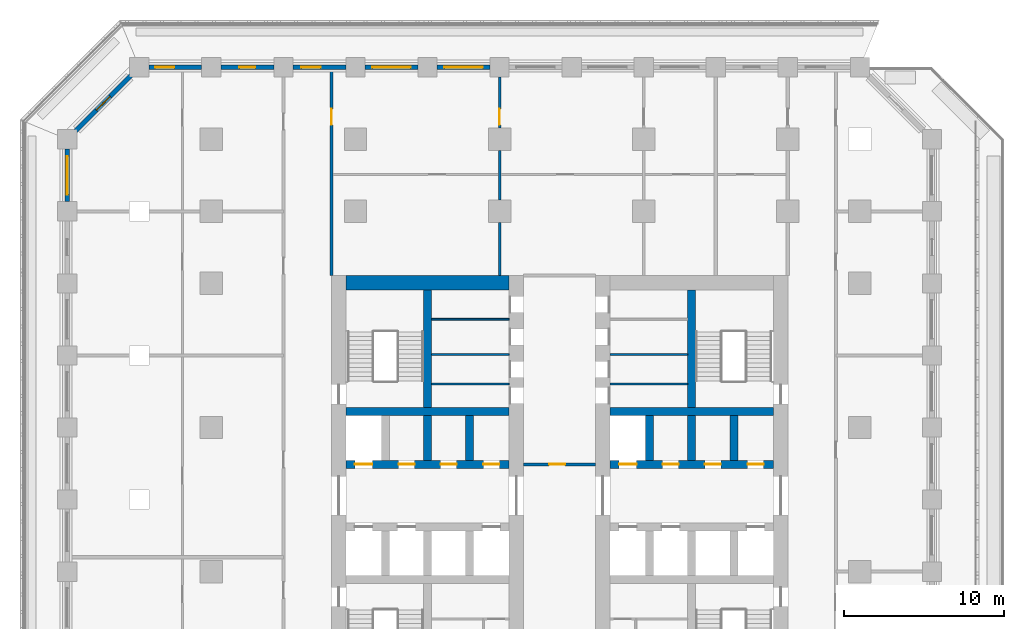
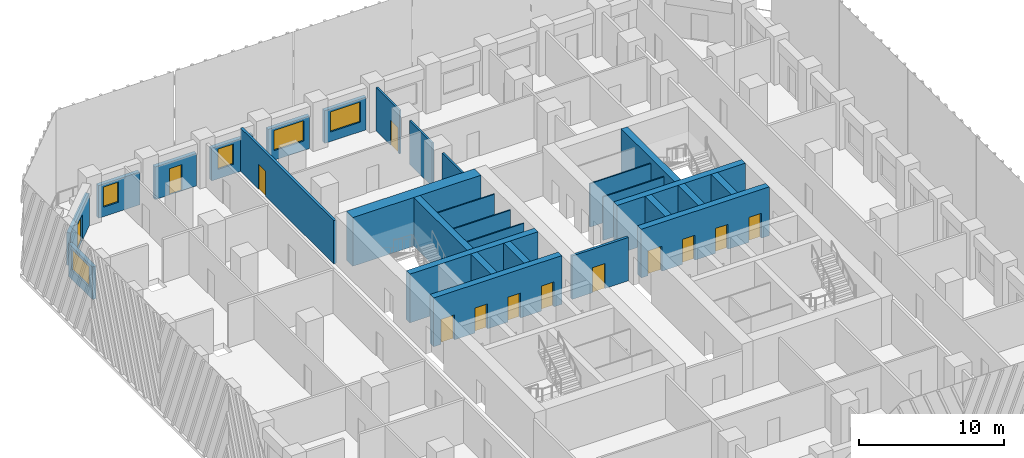
# One storey, part 7 of 19: 29 walls, 13 doors, 5 windows, 18 openings.
"""IFC4 building model written with IfcOpenShell, lengths in metres."""

import ifcopenshell
import ifcopenshell.guid

model = None  # the IFC model being written
_history = None  # IfcOwnerHistory: only IFC2X3 demands one
_inside = {}  # id of a spatial element -> (the spatial element, [elements in it])
_under = {}  # id of a project, library or spatial element -> (it, [spatial elements below it])
_declared = {}  # id of a project -> (the project, [libraries it declares])
_typed = {}  # id of a type object -> (the type object, [elements of that type])
_made_of = {}  # id of a material, layer set ... -> (it, [elements and type objects made of it])


def new_model(schema):
    """Start an empty IFC model of exactly this schema.

    Asked for "IFC4X3", IfcOpenShell would pick the latest addendum, in which some entities
    have other attributes; the version numbers below select the first issue.
    IFC2X3 requires an IfcOwnerHistory on every rooted entity: one is made here for all.
    """
    global model, _history
    if schema == "IFC4X3":
        model = ifcopenshell.file(schema_version=(4, 3, 0, 0))
    else:
        model = ifcopenshell.file(schema=schema)
    _inside.clear()
    _under.clear()
    _declared.clear()
    _typed.clear()
    _made_of.clear()
    _history = None
    if model.schema == "IFC2X3":
        org = make("IfcOrganization", Name="unknown")
        user = make(
            "IfcPersonAndOrganization",
            ThePerson=make("IfcPerson", FamilyName="unknown"),
            TheOrganization=org,
        )
        app = make(
            "IfcApplication",
            ApplicationDeveloper=org,
            Version="unknown",
            ApplicationFullName="unknown",
            ApplicationIdentifier="unknown",
        )
        _history = make(
            "IfcOwnerHistory",
            OwningUser=user,
            OwningApplication=app,
            ChangeAction="ADDED",
            CreationDate=0,
        )
    return model


def make(cls, **values):
    """One entity of the class cls with the attributes given. An attribute that is None is left unset."""
    return model.create_entity(
        cls, **{name: value for name, value in values.items() if value is not None}
    )


def rooted(cls, **values):
    """An entity with a GlobalId (a new one), such as an element, a storey or a relation."""
    return make(cls, GlobalId=ifcopenshell.guid.new(), OwnerHistory=_history, **values)


def si_unit(unit_type, name, prefix=None):
    """IfcSIUnit, for example si_unit("LENGTHUNIT", "METRE", prefix="MILLI")."""
    return make("IfcSIUnit", UnitType=unit_type, Prefix=prefix, Name=name)


def assignment(units):
    """IfcUnitAssignment: the units of a project."""
    return None if units is None else make("IfcUnitAssignment", Units=units)


def point(xyz):
    """IfcCartesianPoint."""
    return None if xyz is None else make("IfcCartesianPoint", Coordinates=xyz)


def direction(xyz):
    """IfcDirection."""
    return None if xyz is None else make("IfcDirection", DirectionRatios=xyz)


def frame(location, z_axis=None, x_axis=None):
    """IfcAxis2Placement3D, a coordinate frame: its origin and axes. An axis left out is left unset."""
    return make(
        "IfcAxis2Placement3D",
        Location=point(location),
        Axis=direction(z_axis),
        RefDirection=direction(x_axis),
    )


def frame_2d(location, x_axis=None):
    """IfcAxis2Placement2D, a coordinate frame in the plane: its origin and x axis."""
    return make(
        "IfcAxis2Placement2D", Location=point(location), RefDirection=direction(x_axis)
    )


def origin():
    """The frame at (0, 0, 0) with its axes left unset."""
    return frame((0.0, 0.0, 0.0))


def place(relative_to, where):
    """IfcLocalPlacement: puts the frame where relative to a parent placement (None: the world)."""
    return make(
        "IfcLocalPlacement", PlacementRelTo=relative_to, RelativePlacement=where
    )


def context(
    kind, dimensions, precision=None, world=None, true_north=None, identifier=None
):
    """IfcGeometricRepresentationContext, for example the 3D "Model" context."""
    return make(
        "IfcGeometricRepresentationContext",
        ContextIdentifier=identifier,
        ContextType=kind,
        CoordinateSpaceDimension=dimensions,
        Precision=precision,
        WorldCoordinateSystem=world,
        TrueNorth=true_north,
    )


def subcontext(parent, identifier, kind, view, scale=None):
    """IfcGeometricRepresentationSubContext, for example "Body" below "Model"."""
    return make(
        "IfcGeometricRepresentationSubContext",
        ContextIdentifier=identifier,
        ContextType=kind,
        ParentContext=parent,
        TargetScale=scale,
        TargetView=view,
    )


def project(units=None, contexts=None):
    """IfcProject with its units and contexts."""
    return rooted(
        "IfcProject",
        Name="project",
        RepresentationContexts=contexts,
        UnitsInContext=assignment(units),
    )


def spatial(cls, under=None, at=None, **own):
    """A site, building, storey or space (cls), placed at a placement, below another one or the project."""
    s = rooted(cls, ObjectPlacement=at, **own)
    if under is not None:
        _under.setdefault(under.id(), (under, []))[1].append(s)
    return s


def profile(cls, at=None, kind="AREA", **sizes):
    """A parametric profile (cls). Its sizes go by their IFC names, for example OverallWidth=200.0."""
    return make(cls, ProfileType=kind, Position=at, **sizes)


def rectangle(**sizes):
    """IfcRectangleProfileDef."""
    return profile("IfcRectangleProfileDef", **sizes)


def extrude(swept, where, along, depth):
    """IfcExtrudedAreaSolid: the profile swept, set in the frame where, extruded along a direction by depth."""
    return make(
        "IfcExtrudedAreaSolid",
        SweptArea=swept,
        Position=where,
        ExtrudedDirection=direction(along),
        Depth=depth,
    )


def shape(context_of_items, identifier, shape_type, items):
    """IfcShapeRepresentation: the items that make up one representation, for example the "Body"."""
    return make(
        "IfcShapeRepresentation",
        ContextOfItems=context_of_items,
        RepresentationIdentifier=identifier,
        RepresentationType=shape_type,
        Items=items,
    )


def material(Name=None, Category=None):
    """IfcMaterial."""
    return make("IfcMaterial", Name=Name, Category=Category)


def layer(
    of_material, thickness, ventilated=None, Name=None, Category=None, Priority=None
):
    """IfcMaterialLayer: one layer of a wall or slab, of a material (None: an air gap)."""
    return make(
        "IfcMaterialLayer",
        Material=of_material,
        LayerThickness=thickness,
        IsVentilated=ventilated,
        Name=Name,
        Category=Category,
        Priority=Priority,
    )


def layer_set(layers, Name=None):
    """IfcMaterialLayerSet."""
    return make("IfcMaterialLayerSet", MaterialLayers=layers, LayerSetName=Name)


def made_of(thing, what):
    """Note that an element or type object is made of a material, layer set ...; save() writes the relation."""
    if what is not None:
        _made_of.setdefault(what.id(), (what, []))[1].append(thing)
    return thing


def type_object(cls, material=None, **own):
    """A type object (cls), such as IfcWallType, which elements share."""
    return made_of(rooted(cls, **own), material)


def element(
    cls,
    number,
    at=None,
    inside=None,
    cuts=None,
    type_object=None,
    material=None,
    context=None,
    identifier="Body",
    shape_type=None,
    held_by="IfcProductDefinitionShape",
    body=None,
    shapes=None,
    **own,
):
    """One element of the class cls, such as IfcWall. Its Tag is "e" and its number.

    at: its placement. inside: the storey or other place that contains it. cuts: it is an
    opening in that element (IfcRelVoidsElement). A single representation is given by context,
    identifier, shape_type and body (its items); several are given by shapes. held_by: the class
    of the entity that holds the representations. save() writes the other relations.
    """
    e = rooted(cls, Tag="e%d" % number, ObjectPlacement=at, **own)
    if body is not None:
        shapes = [shape(context, identifier, shape_type, body)]
    if shapes is not None:
        e.Representation = make(held_by, Representations=shapes)
    if inside is not None:
        _inside.setdefault(inside.id(), (inside, []))[1].append(e)
    if cuts is not None:
        rooted(
            "IfcRelVoidsElement", RelatingBuildingElement=cuts, RelatedOpeningElement=e
        )
    if type_object is not None:
        _typed.setdefault(type_object.id(), (type_object, []))[1].append(e)
    return made_of(e, material)


def fill(opening, filler):
    """IfcRelFillsElement: the door or window that sits in an opening."""
    return rooted(
        "IfcRelFillsElement",
        RelatingOpeningElement=opening,
        RelatedBuildingElement=filler,
    )


def aggregate(whole, parts):
    """IfcRelAggregates: a whole, such as a stair, and the parts it consists of."""
    return rooted("IfcRelAggregates", RelatingObject=whole, RelatedObjects=parts)


def save(model, path):
    """Write the relations noted so far, then the file.

    IfcRelAggregates (storeys below a building ...), IfcRelContainedInSpatialStructure (elements
    in a storey), IfcRelDefinesByType, IfcRelAssociatesMaterial and IfcRelDeclares: one each for
    every whole, place, type object, material and project.
    """
    for whole, parts in _under.values():
        aggregate(whole, parts)
    for where, things in _inside.values():
        rooted(
            "IfcRelContainedInSpatialStructure",
            RelatedElements=things,
            RelatingStructure=where,
        )
    for kind, things in _typed.values():
        rooted("IfcRelDefinesByType", RelatedObjects=things, RelatingType=kind)
    for what, things in _made_of.values():
        rooted("IfcRelAssociatesMaterial", RelatedObjects=things, RelatingMaterial=what)
    for by, libraries in _declared.values():
        rooted("IfcRelDeclares", RelatingContext=by, RelatedDefinitions=libraries)
    model.write(path)


model = new_model("IFC4")

# Units and contexts
model_context = context("Model", 3, precision=1e-05, world=origin(), true_north=direction((0.0, 1.0)))
body_context = subcontext(model_context, "Body", "Model", "MODEL_VIEW")
ifc_project = project(units=[si_unit("LENGTHUNIT", "METRE"), si_unit("AREAUNIT", "SQUARE_METRE"), si_unit("VOLUMEUNIT", "CUBIC_METRE"), si_unit("PLANEANGLEUNIT", "RADIAN"), si_unit("MASSUNIT", "GRAM", prefix="KILO")], contexts=[model_context])

# Site, building, storey
site_placement = place(None, origin())
site = spatial("IfcSite", under=ifc_project, at=site_placement, CompositionType="ELEMENT")
building_placement = place(site_placement, origin())
building = spatial("IfcBuilding", under=site, at=building_placement, Name="Corbel Stack Research Tower", CompositionType="ELEMENT")
storey_placement = place(building_placement, frame((0.0, 0.0, 116.699951171875)))
storey = spatial("IfcBuildingStorey", under=building, at=storey_placement, Name="L26", CompositionType="ELEMENT", Elevation=116.699951171875)

# Wall, openings, doors
ifc_material_1 = material(Name="Concrete C70/85", Category="concrete")
ifc_layer_1 = layer(ifc_material_1, 0.5)
ifc_layer_set_1 = layer_set([ifc_layer_1], Name="Concrete C70/85")
wall_type_1 = type_object("IfcWallType", Name="CW-500-70", PredefinedType="SHEAR", material=ifc_layer_set_1)
wall_1_placement = place(storey_placement, frame((-9.60009765625, 6.699951171875, 0.0), z_axis=(0.0, 0.0, 1.0), x_axis=(1.0, 0.0, 0.0)))
wall_1 = element("IfcWall", 1, at=wall_1_placement, inside=storey, type_object=wall_type_1, Name="West core wall, lobby north L26", PredefinedType="SHEAR", context=body_context, shape_type="SweptSolid", body=[
    extrude(rectangle(XDim=10.2001953125, YDim=0.5, at=frame_2d((5.10009765625, 0.0))), origin(), (0.0, 0.0, 1.0), 4.10009765625),
])
opening_1_placement = place(wall_1_placement, frame((0.5625, 0.0, 0.0)))
opening_1 = element("IfcOpeningElement", 2, at=opening_1_placement, cuts=wall_1, Name="Opening LD-LR2", PredefinedType="OPENING", context=body_context, shape_type="SweptSolid", body=[
    extrude(rectangle(XDim=1.10009765625, YDim=2.10009765625, at=frame_2d((0.550048828125, 1.050048828125))), frame((0.0, 0.260009765625, 0.0), z_axis=(0.0, -1.0, 0.0), x_axis=(1.0, 0.0, 0.0)), (0.0, 0.0, 1.0), 0.52001953125),
])
opening_2_placement = place(wall_1_placement, frame((3.28759765625, 0.0, 0.0)))
opening_2 = element("IfcOpeningElement", 3, at=opening_2_placement, cuts=wall_1, Name="Opening CR-W36-N2", PredefinedType="OPENING", context=body_context, shape_type="SweptSolid", body=[
    extrude(rectangle(XDim=1.0, YDim=2.10009765625, at=frame_2d((0.5, 1.050048828125))), frame((0.0, 0.260009765625, 0.0), z_axis=(0.0, -1.0, 0.0), x_axis=(1.0, 0.0, 0.0)), (0.0, 0.0, 1.0), 0.52001953125),
])
opening_3_placement = place(wall_1_placement, frame((5.91259765625, 0.0, 0.0)))
opening_3 = element("IfcOpeningElement", 4, at=opening_3_placement, cuts=wall_1, Name="Opening CR-W36-N3", PredefinedType="OPENING", context=body_context, shape_type="SweptSolid", body=[
    extrude(rectangle(XDim=1.0, YDim=2.10009765625, at=frame_2d((0.5, 1.050048828125))), frame((0.0, 0.260009765625, 0.0), z_axis=(0.0, -1.0, 0.0), x_axis=(1.0, 0.0, 0.0)), (0.0, 0.0, 1.0), 0.52001953125),
])
opening_4_placement = place(wall_1_placement, frame((8.58740234375, 0.0, 0.0)))
opening_4 = element("IfcOpeningElement", 5, at=opening_4_placement, cuts=wall_1, Name="Opening CR-W36-N4", PredefinedType="OPENING", context=body_context, shape_type="SweptSolid", body=[
    extrude(rectangle(XDim=1.0, YDim=2.10009765625, at=frame_2d((0.5, 1.050048828125))), frame((0.0, 0.260009765625, 0.0), z_axis=(0.0, -1.0, 0.0), x_axis=(1.0, 0.0, 0.0)), (0.0, 0.0, 1.0), 0.52001953125),
])
ifc_material_2 = material(Name="Stainless steel landing door", Category="steel")
door_type_1 = type_object("IfcDoorType", Name="Lift landing door 1100 x 2100", OperationType="DOUBLE_DOOR_SLIDING", PredefinedType="DOOR", material=ifc_material_2)
door_1_placement = place(opening_1_placement, origin())
door_1 = element("IfcDoor", 6, at=door_1_placement, inside=storey, type_object=door_type_1, Name="Landing door LR2", OperationType="DOUBLE_DOOR_SLIDING", OverallHeight=2.10009765625, OverallWidth=1.10009765625, PredefinedType="DOOR", context=body_context, shape_type="SweptSolid", body=[
    extrude(rectangle(XDim=1.10009765625, YDim=2.10009765625, at=frame_2d((0.550048828125, 1.050048828125))), frame((0.0, 0.02490234375, 0.0), z_axis=(0.0, -1.0, 0.0), x_axis=(1.0, 0.0, 0.0)), (0.0, 0.0, 1.0), 0.050048828125),
])
fill(opening_1, door_1)
ifc_material_3 = material(Name="Painted steel door", Category="steel")
door_type_2 = type_object("IfcDoorType", Name="Service door 1000 x 2100 FD60 left hand", OperationType="SINGLE_SWING_LEFT", PredefinedType="DOOR", material=ifc_material_3)
door_2_placement = place(opening_3_placement, origin())
door_2 = element("IfcDoor", 7, at=door_2_placement, inside=storey, type_object=door_type_2, Name="Telecom room door W core", OperationType="SINGLE_SWING_LEFT", OverallHeight=2.10009765625, OverallWidth=1.0, PredefinedType="DOOR", context=body_context, shape_type="SweptSolid", body=[
    extrude(rectangle(XDim=1.0, YDim=2.10009765625, at=frame_2d((0.5, 1.050048828125))), frame((0.0, 0.02490234375, 0.0), z_axis=(0.0, -1.0, 0.0), x_axis=(1.0, 0.0, 0.0)), (0.0, 0.0, 1.0), 0.050048828125),
])
fill(opening_3, door_2)
ifc_material_4 = material(Name="Painted steel door", Category="steel")
door_type_3 = type_object("IfcDoorType", Name="Service door 1000 x 2100 FD60 right hand", OperationType="SINGLE_SWING_RIGHT", PredefinedType="DOOR", material=ifc_material_4)
door_3_placement = place(opening_2_placement, origin())
door_3 = element("IfcDoor", 8, at=door_3_placement, inside=storey, type_object=door_type_3, Name="Mechanical room door W core", OperationType="SINGLE_SWING_RIGHT", OverallHeight=2.10009765625, OverallWidth=1.0, PredefinedType="DOOR", context=body_context, shape_type="SweptSolid", body=[
    extrude(rectangle(XDim=1.0, YDim=2.10009765625, at=frame_2d((0.5, 1.050048828125))), frame((0.0, 0.02490234375, 0.0), z_axis=(0.0, -1.0, 0.0), x_axis=(1.0, 0.0, 0.0)), (0.0, 0.0, 1.0), 0.050048828125),
])
fill(opening_2, door_3)
door_4_placement = place(opening_4_placement, origin())
door_4 = element("IfcDoor", 9, at=door_4_placement, inside=storey, type_object=door_type_3, Name="Copy and supply store door W core", OperationType="SINGLE_SWING_RIGHT", OverallHeight=2.10009765625, OverallWidth=1.0, PredefinedType="DOOR", context=body_context, shape_type="SweptSolid", body=[
    extrude(rectangle(XDim=1.0, YDim=2.10009765625, at=frame_2d((0.5, 1.050048828125))), frame((0.0, 0.02490234375, 0.0), z_axis=(0.0, -1.0, 0.0), x_axis=(1.0, 0.0, 0.0)), (0.0, 0.0, 1.0), 0.050048828125),
])
fill(opening_4, door_4)

# Walls
wall_2_placement = place(storey_placement, frame((-9.60009765625, 10.0, 0.0), z_axis=(0.0, 0.0, 1.0), x_axis=(1.0, 0.0, 0.0)))
element("IfcWall", 10, at=wall_2_placement, inside=storey, type_object=wall_type_1, Name="West core wall, north row back L26", PredefinedType="SHEAR", context=body_context, shape_type="SweptSolid", body=[
    extrude(rectangle(XDim=10.2001953125, YDim=0.5, at=frame_2d((5.10009765625, 0.0))), origin(), (0.0, 0.0, 1.0), 4.10009765625),
])
for number, where, z_axis, x_axis, name in (
    (11, (-4.5, 6.949951171875, 0.0), (0.0, 0.0, 1.0), (0.0, 1.0, 0.0), "West core wall, north shaft 2 L26"),
    (12, (-1.875, 6.949951171875, 0.0), (0.0, 0.0, 1.0), (0.0, 1.0, 0.0), "West core wall, north shaft 3 L26"),
):
    element("IfcWall", number, at=place(storey_placement, frame(where, z_axis=z_axis, x_axis=x_axis)), inside=storey, type_object=wall_type_1, Name=name, PredefinedType="SHEAR", context=body_context, shape_type="SweptSolid", body=[
        extrude(rectangle(XDim=2.800048828125, YDim=0.5, at=frame_2d((1.39990234375, 0.0))), origin(), (0.0, 0.0, 1.0), 4.10009765625),
    ])
wall_3_placement = place(storey_placement, frame((-4.5, 10.25, 0.0), z_axis=(0.0, 0.0, 1.0), x_axis=(0.0, 1.0, 0.0)))
element("IfcWall", 13, at=wall_3_placement, inside=storey, type_object=wall_type_1, Name="West core wall, north stair and riser L26", PredefinedType="SHEAR", context=body_context, shape_type="SweptSolid", body=[
    extrude(rectangle(XDim=7.35009765625, YDim=0.5, at=frame_2d((3.675048828125, 0.0))), origin(), (0.0, 0.0, 1.0), 4.10009765625),
])

# Wall, openings, doors
wall_4_placement = place(storey_placement, frame((6.89990234375, 6.699951171875, 0.0), z_axis=(0.0, 0.0, 1.0), x_axis=(1.0, 0.0, 0.0)))
wall_4 = element("IfcWall", 14, at=wall_4_placement, inside=storey, type_object=wall_type_1, Name="East core wall, lobby north L26", PredefinedType="SHEAR", context=body_context, shape_type="SweptSolid", body=[
    extrude(rectangle(XDim=10.2001953125, YDim=0.5, at=frame_2d((5.10009765625, 0.0))), origin(), (0.0, 0.0, 1.0), 4.10009765625),
])
opening_5_placement = place(wall_4_placement, frame((0.5625, 0.0, 0.0)))
opening_5 = element("IfcOpeningElement", 15, at=opening_5_placement, cuts=wall_4, Name="Opening LD-LR4", PredefinedType="OPENING", context=body_context, shape_type="SweptSolid", body=[
    extrude(rectangle(XDim=1.10009765625, YDim=2.10009765625, at=frame_2d((0.550048828125, 1.050048828125))), frame((0.0, 0.260009765625, 0.0), z_axis=(0.0, -1.0, 0.0), x_axis=(1.0, 0.0, 0.0)), (0.0, 0.0, 1.0), 0.52001953125),
])
opening_6_placement = place(wall_4_placement, frame((3.28759765625, 0.0, 0.0)))
opening_6 = element("IfcOpeningElement", 16, at=opening_6_placement, cuts=wall_4, Name="Opening CR-E36-N2", PredefinedType="OPENING", context=body_context, shape_type="SweptSolid", body=[
    extrude(rectangle(XDim=1.0, YDim=2.10009765625, at=frame_2d((0.5, 1.050048828125))), frame((0.0, 0.260009765625, 0.0), z_axis=(0.0, -1.0, 0.0), x_axis=(1.0, 0.0, 0.0)), (0.0, 0.0, 1.0), 0.52001953125),
])
opening_7_placement = place(wall_4_placement, frame((5.91259765625, 0.0, 0.0)))
opening_7 = element("IfcOpeningElement", 17, at=opening_7_placement, cuts=wall_4, Name="Opening CR-E36-N3", PredefinedType="OPENING", context=body_context, shape_type="SweptSolid", body=[
    extrude(rectangle(XDim=1.0, YDim=2.10009765625, at=frame_2d((0.5, 1.050048828125))), frame((0.0, 0.260009765625, 0.0), z_axis=(0.0, -1.0, 0.0), x_axis=(1.0, 0.0, 0.0)), (0.0, 0.0, 1.0), 0.52001953125),
])
opening_8_placement = place(wall_4_placement, frame((8.58740234375, 0.0, 0.0)))
opening_8 = element("IfcOpeningElement", 18, at=opening_8_placement, cuts=wall_4, Name="Opening CR-E36-N4", PredefinedType="OPENING", context=body_context, shape_type="SweptSolid", body=[
    extrude(rectangle(XDim=1.0, YDim=2.10009765625, at=frame_2d((0.5, 1.050048828125))), frame((0.0, 0.260009765625, 0.0), z_axis=(0.0, -1.0, 0.0), x_axis=(1.0, 0.0, 0.0)), (0.0, 0.0, 1.0), 0.52001953125),
])
door_5_placement = place(opening_5_placement, origin())
door_5 = element("IfcDoor", 19, at=door_5_placement, inside=storey, type_object=door_type_1, Name="Landing door LR4", OperationType="DOUBLE_DOOR_SLIDING", OverallHeight=2.10009765625, OverallWidth=1.10009765625, PredefinedType="DOOR", context=body_context, shape_type="SweptSolid", body=[
    extrude(rectangle(XDim=1.10009765625, YDim=2.10009765625, at=frame_2d((0.550048828125, 1.050048828125))), frame((0.0, 0.02490234375, 0.0), z_axis=(0.0, -1.0, 0.0), x_axis=(1.0, 0.0, 0.0)), (0.0, 0.0, 1.0), 0.050048828125),
])
fill(opening_5, door_5)
door_6_placement = place(opening_7_placement, origin())
door_6 = element("IfcDoor", 20, at=door_6_placement, inside=storey, type_object=door_type_2, Name="Cleaner's store door E core", OperationType="SINGLE_SWING_LEFT", OverallHeight=2.10009765625, OverallWidth=1.0, PredefinedType="DOOR", context=body_context, shape_type="SweptSolid", body=[
    extrude(rectangle(XDim=1.0, YDim=2.10009765625, at=frame_2d((0.5, 1.050048828125))), frame((0.0, 0.02490234375, 0.0), z_axis=(0.0, -1.0, 0.0), x_axis=(1.0, 0.0, 0.0)), (0.0, 0.0, 1.0), 0.050048828125),
])
fill(opening_7, door_6)
door_7_placement = place(opening_6_placement, origin())
door_7 = element("IfcDoor", 21, at=door_7_placement, inside=storey, type_object=door_type_3, Name="Laboratory consumables store door E core", OperationType="SINGLE_SWING_RIGHT", OverallHeight=2.10009765625, OverallWidth=1.0, PredefinedType="DOOR", context=body_context, shape_type="SweptSolid", body=[
    extrude(rectangle(XDim=1.0, YDim=2.10009765625, at=frame_2d((0.5, 1.050048828125))), frame((0.0, 0.02490234375, 0.0), z_axis=(0.0, -1.0, 0.0), x_axis=(1.0, 0.0, 0.0)), (0.0, 0.0, 1.0), 0.050048828125),
])
fill(opening_6, door_7)
door_8_placement = place(opening_8_placement, origin())
door_8 = element("IfcDoor", 22, at=door_8_placement, inside=storey, type_object=door_type_3, Name="Vending bay door E core", OperationType="SINGLE_SWING_RIGHT", OverallHeight=2.10009765625, OverallWidth=1.0, PredefinedType="DOOR", context=body_context, shape_type="SweptSolid", body=[
    extrude(rectangle(XDim=1.0, YDim=2.10009765625, at=frame_2d((0.5, 1.050048828125))), frame((0.0, 0.02490234375, 0.0), z_axis=(0.0, -1.0, 0.0), x_axis=(1.0, 0.0, 0.0)), (0.0, 0.0, 1.0), 0.050048828125),
])
fill(opening_8, door_8)

# Walls
wall_5_placement = place(storey_placement, frame((6.89990234375, 10.0, 0.0), z_axis=(0.0, 0.0, 1.0), x_axis=(1.0, 0.0, 0.0)))
element("IfcWall", 23, at=wall_5_placement, inside=storey, type_object=wall_type_1, Name="East core wall, north row back L26", PredefinedType="SHEAR", context=body_context, shape_type="SweptSolid", body=[
    extrude(rectangle(XDim=10.2001953125, YDim=0.5, at=frame_2d((5.10009765625, 0.0))), origin(), (0.0, 0.0, 1.0), 4.10009765625),
])
for number, where, z_axis, x_axis, name in (
    (24, (9.375, 6.949951171875, 0.0), (0.0, 0.0, 1.0), (0.0, 1.0, 0.0), "East core wall, north shaft 1 L26"),
    (25, (12.0, 6.949951171875, 0.0), (0.0, 0.0, 1.0), (0.0, 1.0, 0.0), "East core wall, north shaft 2 L26"),
    (26, (14.625, 6.949951171875, 0.0), (0.0, 0.0, 1.0), (0.0, 1.0, 0.0), "East core wall, north shaft 3 L26"),
):
    element("IfcWall", number, at=place(storey_placement, frame(where, z_axis=z_axis, x_axis=x_axis)), inside=storey, type_object=wall_type_1, Name=name, PredefinedType="SHEAR", context=body_context, shape_type="SweptSolid", body=[
        extrude(rectangle(XDim=2.800048828125, YDim=0.5, at=frame_2d((1.39990234375, 0.0))), origin(), (0.0, 0.0, 1.0), 4.10009765625),
    ])
wall_6_placement = place(storey_placement, frame((12.0, 10.25, 0.0), z_axis=(0.0, 0.0, 1.0), x_axis=(0.0, 1.0, 0.0)))
element("IfcWall", 27, at=wall_6_placement, inside=storey, type_object=wall_type_1, Name="East core wall, north stair and riser L26", PredefinedType="SHEAR", context=body_context, shape_type="SweptSolid", body=[
    extrude(rectangle(XDim=7.35009765625, YDim=0.5, at=frame_2d((3.675048828125, 0.0))), origin(), (0.0, 0.0, 1.0), 4.10009765625),
])
ifc_material_5 = material(Name="Concrete C70/85", Category="concrete")
ifc_layer_2 = layer(ifc_material_5, 0.89990234375)
ifc_layer_set_2 = layer_set([ifc_layer_2], Name="Concrete C70/85")
wall_type_2 = type_object("IfcWallType", Name="CW-900-70", PredefinedType="SHEAR", material=ifc_layer_set_2)
wall_7_placement = place(storey_placement, frame((-9.60009765625, 18.050048828125, 0.0), z_axis=(0.0, 0.0, 1.0), x_axis=(1.0, 0.0, 0.0)))
element("IfcWall", 28, at=wall_7_placement, inside=storey, type_object=wall_type_2, Name="West core wall, north end L26", PredefinedType="SHEAR", context=body_context, shape_type="SweptSolid", body=[
    extrude(rectangle(XDim=10.2001953125, YDim=0.89990234375, at=frame_2d((5.10009765625, 0.0))), origin(), (0.0, 0.0, 1.0), 4.10009765625),
])
ifc_material_6 = material(Name="Gypsum board")
ifc_layer_3 = layer(ifc_material_6, 0.10009765625)
ifc_layer_set_3 = layer_set([ifc_layer_3], Name="Gypsum board")
wall_type_3 = type_object("IfcWallType", Name="Core partition 100", PredefinedType="PARTITIONING", material=ifc_layer_set_3)
for number, where, z_axis, x_axis, name in (
    (29, (-4.25, 11.719970703125, 0.0), (0.0, 0.0, 1.0), (1.0, 0.0, 0.0), "Core partition W"),
    (30, (-4.25, 13.5576171875, 0.0), (0.0, 0.0, 1.0), (1.0, 0.0, 0.0), "Core partition W"),
    (31, (-4.25, 15.762451171875, 0.0), (0.0, 0.0, 1.0), (1.0, 0.0, 0.0), "Core partition W"),
    (32, (6.89990234375, 11.719970703125, 0.0), (0.0, 0.0, 1.0), (1.0, 0.0, 0.0), "Core partition E"),
    (33, (6.89990234375, 13.5576171875, 0.0), (0.0, 0.0, 1.0), (1.0, 0.0, 0.0), "Core partition E"),
):
    element("IfcWall", number, at=place(storey_placement, frame(where, z_axis=z_axis, x_axis=x_axis)), inside=storey, type_object=wall_type_3, Name=name, PredefinedType="PARTITIONING", context=body_context, shape_type="SweptSolid", body=[
        extrude(rectangle(XDim=4.85009765625, YDim=0.10009765625, at=frame_2d((2.425048828125, 0.0))), origin(), (0.0, 0.0, 1.0), 3.650146484375),
    ])

# Wall, opening, door
ifc_material_7 = material(Name="Fire-rated gypsum board partition on steel studs", Category="steel")
ifc_layer_4 = layer(ifc_material_7, 0.14990234375)
ifc_layer_set_4 = layer_set([ifc_layer_4], Name="Fire-rated gypsum board partition on steel studs")
wall_type_4 = type_object("IfcWallType", Name="Fire-rated partition 150 EI 60", PredefinedType="PARTITIONING", material=ifc_layer_set_4)
wall_8_placement = place(storey_placement, frame((0.0, 30.89990234375, 0.0), z_axis=(0.0, 0.0, 1.0), x_axis=(0.0, -1.0, 0.0)))
wall_8 = element("IfcWall", 34, at=wall_8_placement, inside=storey, type_object=wall_type_4, Name="Partition L26-007", PredefinedType="PARTITIONING", context=body_context, shape_type="SweptSolid", body=[
    extrude(rectangle(XDim=3.199951171875, YDim=0.14990234375, at=frame_2d((1.60009765625, 0.0))), origin(), (0.0, 0.0, 1.0), 3.650146484375),
])
opening_9_placement = place(wall_8_placement, frame((2.0, 0.0, 0.0)))
opening_9 = element("IfcOpeningElement", 35, at=opening_9_placement, cuts=wall_8, Name="Opening B4V0H-020", PredefinedType="OPENING", context=body_context, shape_type="SweptSolid", body=[
    extrude(rectangle(XDim=1.0, YDim=2.10009765625, at=frame_2d((0.5, 1.050048828125))), frame((0.0, 0.0849609375, 0.0), z_axis=(0.0, -1.0, 0.0), x_axis=(1.0, 0.0, 0.0)), (0.0, 0.0, 1.0), 0.169921875),
])
ifc_material_8 = material(Name="Painted steel fire door", Category="steel")
door_type_4 = type_object("IfcDoorType", Name="Fire door FD30S 1000 x 2100", OperationType="NOTDEFINED", PredefinedType="DOOR", material=ifc_material_8)
door_9_placement = place(opening_9_placement, origin())
door_9 = element("IfcDoor", 36, at=door_9_placement, inside=storey, type_object=door_type_4, Name="Door B4V0H-020", OperationType="SINGLE_SWING_RIGHT", OverallHeight=2.10009765625, OverallWidth=1.0, PredefinedType="DOOR", context=body_context, shape_type="SweptSolid", body=[
    extrude(rectangle(XDim=1.0, YDim=2.10009765625, at=frame_2d((0.5, 1.050048828125))), frame((0.0, 0.02490234375, 0.0), z_axis=(0.0, -1.0, 0.0), x_axis=(1.0, 0.0, 0.0)), (0.0, 0.0, 1.0), 0.050048828125),
])
fill(opening_9, door_9)

ifc_material_9 = material(Name="Fire-rated gypsum board partition on steel studs", Category="steel")
ifc_layer_5 = layer(ifc_material_9, 0.199951171875)
ifc_layer_set_5 = layer_set([ifc_layer_5], Name="Fire-rated gypsum board partition on steel studs")
wall_type_5 = type_object("IfcWallType", Name="Fire-rated partition 200 EI 60", PredefinedType="PARTITIONING", material=ifc_layer_set_5)
wall_9_placement = place(storey_placement, frame((-10.5, 31.35009765625, 0.0), z_axis=(0.0, 0.0, 1.0), x_axis=(0.0, -1.0, 0.0)))
wall_9 = element("IfcWall", 37, at=wall_9_placement, inside=storey, type_object=wall_type_5, Name="Partition L26-004", PredefinedType="PARTITIONING", context=body_context, shape_type="SweptSolid", body=[
    extrude(rectangle(XDim=12.85009765625, YDim=0.199951171875, at=frame_2d((6.425048828125, 0.0))), origin(), (0.0, 0.0, 1.0), 3.650146484375),
])
opening_10_placement = place(wall_9_placement, frame((2.449951171875, 0.0, 0.0)))
opening_10 = element("IfcOpeningElement", 38, at=opening_10_placement, cuts=wall_9, Name="Opening B4V0H-018", PredefinedType="OPENING", context=body_context, shape_type="SweptSolid", body=[
    extrude(rectangle(XDim=1.0, YDim=2.10009765625, at=frame_2d((0.5, 1.050048828125))), frame((0.0, 0.10986328125, 0.0), z_axis=(0.0, -1.0, 0.0), x_axis=(1.0, 0.0, 0.0)), (0.0, 0.0, 1.0), 0.219970703125),
])
door_10_placement = place(opening_10_placement, origin())
door_10 = element("IfcDoor", 39, at=door_10_placement, inside=storey, type_object=door_type_4, Name="Door B4V0H-018", OperationType="SINGLE_SWING_LEFT", OverallHeight=2.10009765625, OverallWidth=1.0, PredefinedType="DOOR", context=body_context, shape_type="SweptSolid", body=[
    extrude(rectangle(XDim=1.0, YDim=2.10009765625, at=frame_2d((0.5, 1.050048828125))), frame((0.0, 0.02490234375, 0.0), z_axis=(0.0, -1.0, 0.0), x_axis=(1.0, 0.0, 0.0)), (0.0, 0.0, 1.0), 0.050048828125),
])
fill(opening_10, door_10)

wall_10_placement = place(storey_placement, frame((1.5, 6.699951171875, 0.0), z_axis=(0.0, 0.0, 1.0), x_axis=(1.0, 0.0, 0.0)))
wall_10 = element("IfcWall", 40, at=wall_10_placement, inside=storey, type_object=wall_type_5, Name="Partition L26-034", PredefinedType="PARTITIONING", context=body_context, shape_type="SweptSolid", body=[
    extrude(rectangle(XDim=4.5, YDim=0.199951171875, at=frame_2d((2.25, 0.0))), origin(), (0.0, 0.0, 1.0), 3.650146484375),
])
opening_11_placement = place(wall_10_placement, frame((1.60009765625, 0.0, 0.0)))
opening_11 = element("IfcOpeningElement", 41, at=opening_11_placement, cuts=wall_10, Name="Opening B4V0H-021", PredefinedType="OPENING", context=body_context, shape_type="SweptSolid", body=[
    extrude(rectangle(XDim=1.0, YDim=2.10009765625, at=frame_2d((0.5, 1.050048828125))), frame((0.0, 0.10986328125, 0.0), z_axis=(0.0, -1.0, 0.0), x_axis=(1.0, 0.0, 0.0)), (0.0, 0.0, 1.0), 0.219970703125),
])
door_11_placement = place(opening_11_placement, origin())
door_11 = element("IfcDoor", 42, at=door_11_placement, inside=storey, type_object=door_type_4, Name="Door B4V0H-021", OperationType="SINGLE_SWING_LEFT", OverallHeight=2.10009765625, OverallWidth=1.0, PredefinedType="DOOR", context=body_context, shape_type="SweptSolid", body=[
    extrude(rectangle(XDim=1.0, YDim=2.10009765625, at=frame_2d((0.5, 1.050048828125))), frame((0.0, 0.02490234375, 0.0), z_axis=(0.0, -1.0, 0.0), x_axis=(1.0, 0.0, 0.0)), (0.0, 0.0, 1.0), 0.050048828125),
])
fill(opening_11, door_11)

# Walls
ifc_material_10 = material(Name="Gypsum board partition on steel studs", Category="steel")
ifc_layer_6 = layer(ifc_material_10, 0.14990234375)
ifc_layer_set_6 = layer_set([ifc_layer_6], Name="Gypsum board partition on steel studs")
wall_type_6 = type_object("IfcWallType", Name="Partition 150", PredefinedType="PARTITIONING", material=ifc_layer_set_6)
wall_11_placement = place(storey_placement, frame((0.0, 18.5, 0.0), z_axis=(0.0, 0.0, 1.0), x_axis=(0.0, 1.0, 0.0)))
element("IfcWall", 43, at=wall_11_placement, inside=storey, type_object=wall_type_6, Name="Partition L26-005", PredefinedType="PARTITIONING", context=body_context, shape_type="SweptSolid", body=[
    extrude(rectangle(XDim=3.300048828125, YDim=0.14990234375, at=frame_2d((1.64990234375, 0.0))), origin(), (0.0, 0.0, 1.0), 3.650146484375),
])
wall_12_placement = place(storey_placement, frame((0.0, 23.199951171875, 0.0), z_axis=(0.0, 0.0, 1.0), x_axis=(0.0, 1.0, 0.0)))
element("IfcWall", 44, at=wall_12_placement, inside=storey, type_object=wall_type_6, Name="Partition L26-006", PredefinedType="PARTITIONING", context=body_context, shape_type="SweptSolid", body=[
    extrude(rectangle(XDim=3.10009765625, YDim=0.14990234375, at=frame_2d((1.550048828125, 0.0))), origin(), (0.0, 0.0, 1.0), 3.650146484375),
])

# Wall, opening, window
ifc_material_11 = material(Name="Concrete C45/55", Category="concrete")
ifc_layer_7 = layer(ifc_material_11, 0.300048828125)
ifc_layer_set_7 = layer_set([ifc_layer_7], Name="Concrete C45/55")
wall_type_7 = type_object("IfcWallType", Name="Terracotta-faced concrete wall 300", PredefinedType="SOLIDWALL", material=ifc_layer_set_7)
wall_13_placement = place(storey_placement, frame((-3.89990234375, 31.5, 0.0), z_axis=(0.0, 0.0, 1.0), x_axis=(1.0, 0.0, 0.0)))
wall_13 = element("IfcWall", 45, at=wall_13_placement, inside=storey, type_object=wall_type_7, Name="Facade wall L26 N06", PredefinedType="SOLIDWALL", context=body_context, shape_type="SweptSolid", body=[
    extrude(rectangle(XDim=3.2998046875, YDim=0.300048828125, at=frame_2d((1.64990234375, 0.0))), origin(), (0.0, 0.0, 1.0), 2.75),
])
opening_12_placement = place(wall_13_placement, frame((0.449951171875, 0.0, 0.800048828125)))
opening_12 = element("IfcOpeningElement", 46, at=opening_12_placement, cuts=wall_13, Name="Opening W1", PredefinedType="OPENING", context=body_context, shape_type="SweptSolid", body=[
    extrude(rectangle(XDim=2.39990234375, YDim=1.699951171875, at=frame_2d((1.199951171875, 0.85009765625))), frame((0.0, 0.159912109375, 0.0), z_axis=(0.0, -1.0, 0.0), x_axis=(1.0, 0.0, 0.0)), (0.0, 0.0, 1.0), 0.320068359375),
])
ifc_material_12 = material(Name="Aluminium frame, clear double glazing", Category="aluminium")
window_type_1 = type_object("IfcWindowType", Name="Window W1 2400 x 1700", PartitioningType="SINGLE_PANEL", PredefinedType="WINDOW", material=ifc_material_12)
window_1_placement = place(opening_12_placement, origin())
window_1 = element("IfcWindow", 47, at=window_1_placement, inside=storey, type_object=window_type_1, Name="Window W1 L26 N06", OverallHeight=1.699951171875, OverallWidth=2.39990234375, PartitioningType="SINGLE_PANEL", PredefinedType="WINDOW", context=body_context, shape_type="SweptSolid", body=[
    extrude(rectangle(XDim=2.39990234375, YDim=1.699951171875, at=frame_2d((1.199951171875, 0.85009765625))), frame((0.0, 0.030029296875, 0.0), z_axis=(0.0, -1.0, 0.0), x_axis=(1.0, 0.0, 0.0)), (0.0, 0.0, 1.0), 0.06005859375),
])
fill(opening_12, window_1)

wall_14_placement = place(storey_placement, frame((-8.39990234375, 31.5, 0.0), z_axis=(0.0, 0.0, 1.0), x_axis=(1.0, 0.0, 0.0)))
wall_14 = element("IfcWall", 48, at=wall_14_placement, inside=storey, type_object=wall_type_7, Name="Facade wall L26 N07", PredefinedType="SOLIDWALL", context=body_context, shape_type="SweptSolid", body=[
    extrude(rectangle(XDim=3.2998046875, YDim=0.300048828125, at=frame_2d((1.64990234375, 0.0))), origin(), (0.0, 0.0, 1.0), 2.75),
])
opening_13_placement = place(wall_14_placement, frame((0.449951171875, 0.0, 0.800048828125)))
opening_13 = element("IfcOpeningElement", 49, at=opening_13_placement, cuts=wall_14, Name="Opening W1", PredefinedType="OPENING", context=body_context, shape_type="SweptSolid", body=[
    extrude(rectangle(XDim=2.39990234375, YDim=1.699951171875, at=frame_2d((1.199951171875, 0.85009765625))), frame((0.0, 0.159912109375, 0.0), z_axis=(0.0, -1.0, 0.0), x_axis=(1.0, 0.0, 0.0)), (0.0, 0.0, 1.0), 0.320068359375),
])
window_2_placement = place(opening_13_placement, origin())
window_2 = element("IfcWindow", 50, at=window_2_placement, inside=storey, type_object=window_type_1, Name="Window W1 L26 N07", OverallHeight=1.699951171875, OverallWidth=2.39990234375, PartitioningType="SINGLE_PANEL", PredefinedType="WINDOW", context=body_context, shape_type="SweptSolid", body=[
    extrude(rectangle(XDim=2.39990234375, YDim=1.699951171875, at=frame_2d((1.199951171875, 0.85009765625))), frame((0.0, 0.030029296875, 0.0), z_axis=(0.0, -1.0, 0.0), x_axis=(1.0, 0.0, 0.0)), (0.0, 0.0, 1.0), 0.06005859375),
])
fill(opening_13, window_2)

wall_15_placement = place(storey_placement, frame((-12.89990234375, 31.5, 0.0), z_axis=(0.0, 0.0, 1.0), x_axis=(1.0, 0.0, 0.0)))
wall_15 = element("IfcWall", 51, at=wall_15_placement, inside=storey, type_object=wall_type_7, Name="Facade wall L26 N08", PredefinedType="SOLIDWALL", context=body_context, shape_type="SweptSolid", body=[
    extrude(rectangle(XDim=3.2998046875, YDim=0.300048828125, at=frame_2d((1.64990234375, 0.0))), origin(), (0.0, 0.0, 1.0), 2.75),
])
opening_14_placement = place(wall_15_placement, frame((0.52490234375, 0.0, 0.800048828125)))
opening_14 = element("IfcOpeningElement", 52, at=opening_14_placement, cuts=wall_15, Name="Opening W2", PredefinedType="OPENING", context=body_context, shape_type="SweptSolid", body=[
    extrude(rectangle(XDim=1.199951171875, YDim=1.699951171875, at=frame_2d((0.60009765625, 0.85009765625))), frame((0.0, 0.159912109375, 0.0), z_axis=(0.0, -1.0, 0.0), x_axis=(1.0, 0.0, 0.0)), (0.0, 0.0, 1.0), 0.320068359375),
])
ifc_material_13 = material(Name="Aluminium frame, clear double glazing", Category="aluminium")
window_type_2 = type_object("IfcWindowType", Name="Window W2 1200 x 1700", PartitioningType="SINGLE_PANEL", PredefinedType="WINDOW", material=ifc_material_13)
window_3_placement = place(opening_14_placement, origin())
window_3 = element("IfcWindow", 53, at=window_3_placement, inside=storey, type_object=window_type_2, Name="Window W2 L26 N08", OverallHeight=1.699951171875, OverallWidth=1.199951171875, PartitioningType="SINGLE_PANEL", PredefinedType="WINDOW", context=body_context, shape_type="SweptSolid", body=[
    extrude(rectangle(XDim=1.199951171875, YDim=1.699951171875, at=frame_2d((0.60009765625, 0.85009765625))), frame((0.0, 0.030029296875, 0.0), z_axis=(0.0, -1.0, 0.0), x_axis=(1.0, 0.0, 0.0)), (0.0, 0.0, 1.0), 0.06005859375),
])
fill(opening_14, window_3)

# Wall, opening, door
wall_16_placement = place(storey_placement, frame((-17.39990234375, 31.5, 0.0), z_axis=(0.0, 0.0, 1.0), x_axis=(1.0, 0.0, 0.0)))
wall_16 = element("IfcWall", 54, at=wall_16_placement, inside=storey, type_object=wall_type_7, Name="Facade wall L26 N09", PredefinedType="SOLIDWALL", context=body_context, shape_type="SweptSolid", body=[
    extrude(rectangle(XDim=3.2998046875, YDim=0.300048828125, at=frame_2d((1.64990234375, 0.0))), origin(), (0.0, 0.0, 1.0), 2.75),
])
opening_15_placement = place(wall_16_placement, frame((1.14990234375, 0.0, 0.0)))
opening_15 = element("IfcOpeningElement", 55, at=opening_15_placement, cuts=wall_16, Name="Opening L26-B08", PredefinedType="OPENING", context=body_context, shape_type="SweptSolid", body=[
    extrude(rectangle(XDim=1.0, YDim=2.199951171875, at=frame_2d((0.5, 1.10009765625))), frame((0.0, 0.159912109375, 0.0), z_axis=(0.0, -1.0, 0.0), x_axis=(1.0, 0.0, 0.0)), (0.0, 0.0, 1.0), 0.320068359375),
])
ifc_material_14 = material(Name="Aluminium frame, clear double glazing", Category="aluminium")
door_type_5 = type_object("IfcDoorType", Name="Balcony door BD1 1000 x 2200", OperationType="NOTDEFINED", PredefinedType="DOOR", material=ifc_material_14)
door_12_placement = place(opening_15_placement, origin())
door_12 = element("IfcDoor", 56, at=door_12_placement, inside=storey, type_object=door_type_5, Name="Balcony door L26-B08", OperationType="SINGLE_SWING_LEFT", OverallHeight=2.199951171875, OverallWidth=1.0, PredefinedType="DOOR", context=body_context, shape_type="SweptSolid", body=[
    extrude(rectangle(XDim=1.0, YDim=2.199951171875, at=frame_2d((0.5, 1.10009765625))), frame((0.0, 0.02490234375, 0.0), z_axis=(0.0, -1.0, 0.0), x_axis=(1.0, 0.0, 0.0)), (0.0, 0.0, 1.0), 0.050048828125),
])
fill(opening_15, door_12)

# Wall, opening, window
wall_17_placement = place(storey_placement, frame((-21.89990234375, 31.5, 0.0), z_axis=(0.0, 0.0, 1.0), x_axis=(1.0, 0.0, 0.0)))
wall_17 = element("IfcWall", 57, at=wall_17_placement, inside=storey, type_object=wall_type_7, Name="Facade wall L26 N10", PredefinedType="SOLIDWALL", context=body_context, shape_type="SweptSolid", body=[
    extrude(rectangle(XDim=3.2998046875, YDim=0.300048828125, at=frame_2d((1.64990234375, 0.0))), origin(), (0.0, 0.0, 1.0), 2.75),
])
opening_16_placement = place(wall_17_placement, frame((0.387451171875, 0.0, 0.800048828125)))
opening_16 = element("IfcOpeningElement", 58, at=opening_16_placement, cuts=wall_17, Name="Opening W2", PredefinedType="OPENING", context=body_context, shape_type="SweptSolid", body=[
    extrude(rectangle(XDim=1.199951171875, YDim=1.699951171875, at=frame_2d((0.60009765625, 0.85009765625))), frame((0.0, 0.159912109375, 0.0), z_axis=(0.0, -1.0, 0.0), x_axis=(1.0, 0.0, 0.0)), (0.0, 0.0, 1.0), 0.320068359375),
])
window_4_placement = place(opening_16_placement, origin())
window_4 = element("IfcWindow", 59, at=window_4_placement, inside=storey, type_object=window_type_2, Name="Window W2 L26 N10", OverallHeight=1.699951171875, OverallWidth=1.199951171875, PartitioningType="SINGLE_PANEL", PredefinedType="WINDOW", context=body_context, shape_type="SweptSolid", body=[
    extrude(rectangle(XDim=1.199951171875, YDim=1.699951171875, at=frame_2d((0.60009765625, 0.85009765625))), frame((0.0, 0.030029296875, 0.0), z_axis=(0.0, -1.0, 0.0), x_axis=(1.0, 0.0, 0.0)), (0.0, 0.0, 1.0), 0.06005859375),
])
fill(opening_16, window_4)

# Wall, opening, door
wall_18_placement = place(storey_placement, frame((-26.506103515625, 27.493896484375, 0.0), z_axis=(0.0, 0.0, 1.0), x_axis=(0.707106781187, 0.707106781187, 0.0)))
wall_18 = element("IfcWall", 60, at=wall_18_placement, inside=storey, type_object=wall_type_7, Name="Facade wall L26 NW01", PredefinedType="SOLIDWALL", context=body_context, shape_type="SweptSolid", body=[
    extrude(rectangle(XDim=4.967041015625, YDim=0.300048828125, at=frame_2d((2.4833984375, 0.0))), origin(), (0.0, 0.0, 1.0), 2.75),
])
opening_17_placement = place(wall_18_placement, frame((1.883544921875, 0.0, 0.0)))
opening_17 = element("IfcOpeningElement", 61, at=opening_17_placement, cuts=wall_18, Name="Opening L26-B09", PredefinedType="OPENING", context=body_context, shape_type="SweptSolid", body=[
    extrude(rectangle(XDim=1.199951171875, YDim=2.199951171875, at=frame_2d((0.60009765625, 1.10009765625))), frame((0.0, 0.159912109375, 0.0), z_axis=(0.0, -1.0, 0.0), x_axis=(1.0, 0.0, 0.0)), (0.0, 0.0, 1.0), 0.320068359375),
])
ifc_material_15 = material(Name="Aluminium frame, clear double glazing", Category="aluminium")
door_type_6 = type_object("IfcDoorType", Name="Balcony door BD2 1200 x 2200", OperationType="NOTDEFINED", PredefinedType="DOOR", material=ifc_material_15)
door_13_placement = place(opening_17_placement, origin())
door_13 = element("IfcDoor", 62, at=door_13_placement, inside=storey, type_object=door_type_6, Name="Balcony door L26-B09", OperationType="SINGLE_SWING_LEFT", OverallHeight=2.199951171875, OverallWidth=1.199951171875, PredefinedType="DOOR", context=body_context, shape_type="SweptSolid", body=[
    extrude(rectangle(XDim=1.199951171875, YDim=2.199951171875, at=frame_2d((0.60009765625, 1.10009765625))), frame((0.0, 0.02490234375, 0.0), z_axis=(0.0, -1.0, 0.0), x_axis=(1.0, 0.0, 0.0)), (0.0, 0.0, 1.0), 0.050048828125),
])
fill(opening_17, door_13)

# Wall, opening, window
wall_19_placement = place(storey_placement, frame((-27.0, 23.10009765625, 0.0), z_axis=(0.0, 0.0, 1.0), x_axis=(0.0, 1.0, 0.0)))
wall_19 = element("IfcWall", 63, at=wall_19_placement, inside=storey, type_object=wall_type_7, Name="Facade wall L26 W01", PredefinedType="SOLIDWALL", context=body_context, shape_type="SweptSolid", body=[
    extrude(rectangle(XDim=3.2998046875, YDim=0.300048828125, at=frame_2d((1.64990234375, 0.0))), origin(), (0.0, 0.0, 1.0), 2.75),
])
opening_18_placement = place(wall_19_placement, frame((0.449951171875, 0.0, 0.800048828125)))
opening_18 = element("IfcOpeningElement", 64, at=opening_18_placement, cuts=wall_19, Name="Opening W1", PredefinedType="OPENING", context=body_context, shape_type="SweptSolid", body=[
    extrude(rectangle(XDim=2.39990234375, YDim=1.699951171875, at=frame_2d((1.199951171875, 0.85009765625))), frame((0.0, 0.159912109375, 0.0), z_axis=(0.0, -1.0, 0.0), x_axis=(1.0, 0.0, 0.0)), (0.0, 0.0, 1.0), 0.320068359375),
])
window_5_placement = place(opening_18_placement, origin())
window_5 = element("IfcWindow", 65, at=window_5_placement, inside=storey, type_object=window_type_1, Name="Window W1 L26 W01", OverallHeight=1.699951171875, OverallWidth=2.39990234375, PartitioningType="SINGLE_PANEL", PredefinedType="WINDOW", context=body_context, shape_type="SweptSolid", body=[
    extrude(rectangle(XDim=2.39990234375, YDim=1.699951171875, at=frame_2d((1.199951171875, 0.85009765625))), frame((0.0, 0.030029296875, 0.0), z_axis=(0.0, -1.0, 0.0), x_axis=(1.0, 0.0, 0.0)), (0.0, 0.0, 1.0), 0.06005859375),
])
fill(opening_18, window_5)

save(model, "model.ifc")
